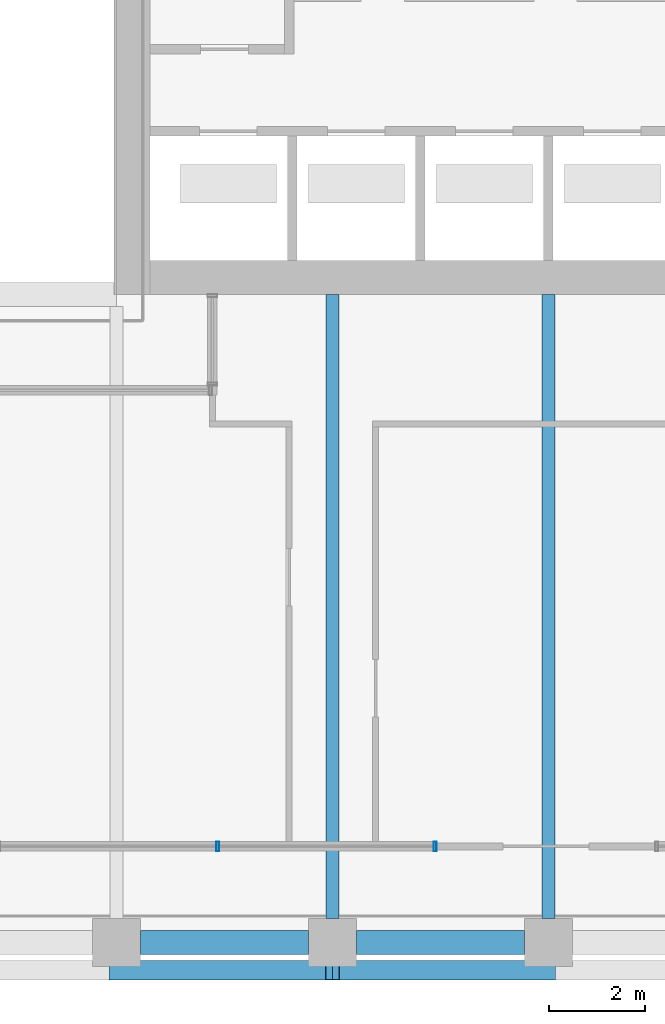
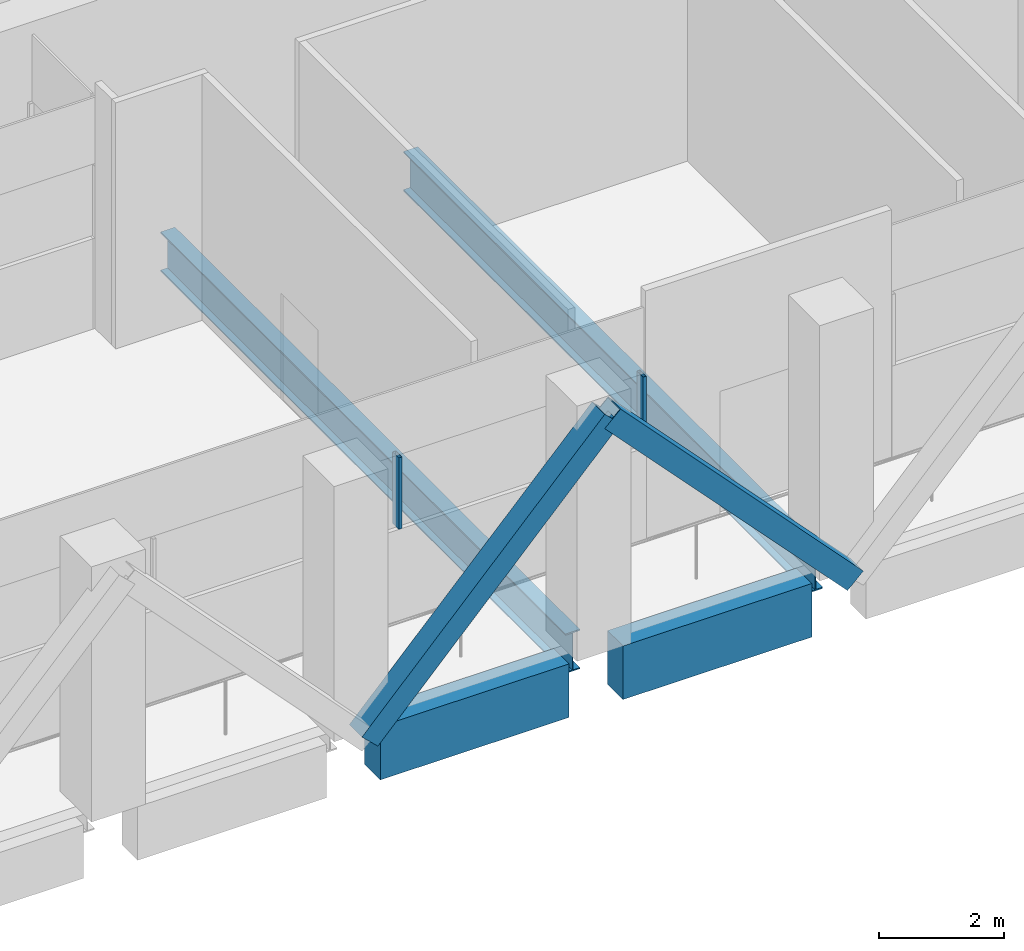
# One storey, part 5 of 48: 4 beams, 4 members, 1 element without a shape of its own.
"""IFC4 building model written with IfcOpenShell, lengths in metres."""

from ifc_helpers import new_model, si_unit, direction, frame, origin, origin_2d, place, context, subcontext, project, spatial, rectangle, hollow_rectangle, i_section, extrude, material, material_profile, profile_set, type_object, element, aggregate, save


model = new_model("IFC4")

# Units and contexts
model_context = context("Model", 3, precision=1e-05, world=origin(), true_north=direction((0.0, 1.0)))
body_context = subcontext(model_context, "Body", "Model", "MODEL_VIEW")
ifc_project = project(units=[si_unit("LENGTHUNIT", "METRE"), si_unit("AREAUNIT", "SQUARE_METRE"), si_unit("VOLUMEUNIT", "CUBIC_METRE"), si_unit("PLANEANGLEUNIT", "RADIAN"), si_unit("MASSUNIT", "GRAM", prefix="KILO")], contexts=[model_context])

# Site, building, storey
site_placement = place(None, origin())
site = spatial("IfcSite", under=ifc_project, at=site_placement, CompositionType="ELEMENT")
building_placement = place(site_placement, origin())
building = spatial("IfcBuilding", under=site, at=building_placement, Name="Altepetl Exchange Towers", CompositionType="ELEMENT")
storey_placement = place(building_placement, frame((0.0, 0.0, 138.800048828125)))
storey = spatial("IfcBuildingStorey", under=building, at=storey_placement, Name="L34 Refuge and sky lobby", CompositionType="ELEMENT", Elevation=138.800048828125)

# Members
ifc_material_1 = material(Name="Steel S355", Category="steel")
ifc_material_profile_1 = material_profile(ifc_material_1, hollow_rectangle(XDim=0.406005859375, YDim=0.406005859375, WallThickness=0.014892578125, at=origin_2d()), Name="HSS406X406X15.9")
ifc_profile_set_1 = profile_set([ifc_material_profile_1], Name="Steel S355")
member_type_1 = type_object("IfcMemberType", Name="Belt diagonal HSS406X406X15.9", PredefinedType="BRACE", material=ifc_profile_set_1)
for number, where, z_axis, x_axis, name in (
    (1, (40.5, 26.419921875, 0.0), (0.687744647911, 0.0, 0.725952683906), (0.0, 1.0, 0.0), "brc:A:L34:002"),
    (2, (45.0, 26.419921875, 4.75), (0.687744647911, 0.0, -0.725952683906), (0.0, 1.0, 0.0), "brc:A:L34:003"),
):
    element("IfcMember", number, at=place(storey_placement, frame(where, z_axis=z_axis, x_axis=x_axis)), inside=storey, type_object=member_type_1, Name=name, PredefinedType="BRACE", context=body_context, shape_type="SweptSolid", body=[
        extrude(hollow_rectangle(XDim=0.406005859375, YDim=0.406005859375, WallThickness=0.014892578125, at=origin_2d()), origin(), (0.0, 0.0, 1.0), 6.543212890625),
    ])

# Beams
ifc_material_profile_2 = material_profile(ifc_material_1, i_section(OverallWidth=0.26806640625, OverallDepth=0.77392578125, WebThickness=0.015380859375, FlangeThickness=0.025390625, at=origin_2d()), Name="W30X132")
ifc_profile_set_2 = profile_set([ifc_material_profile_2], Name="Steel S355")
beam_type_1 = type_object("IfcBeamType", Name="Floor beam W30X132", PredefinedType="BEAM", material=ifc_profile_set_2)
for number, where, z_axis, x_axis, name in (
    (3, (45.0, 27.5, -0.587158203125), (0.0, 1.0, 0.0), (-1.0, 0.0, 0.0), "bm:A:L34:015"),
    (4, (49.5, 27.5, -0.587158203125), (0.0, 1.0, 0.0), (-1.0, 0.0, 0.0), "bm:A:L34:016"),
):
    element("IfcBeam", number, at=place(storey_placement, frame(where, z_axis=z_axis, x_axis=x_axis)), inside=storey, type_object=beam_type_1, Name=name, PredefinedType="BEAM", context=body_context, shape_type="SweptSolid", body=[
        extrude(i_section(OverallWidth=0.26806640625, OverallDepth=0.77392578125, WebThickness=0.015380859375, FlangeThickness=0.025390625, at=origin_2d()), origin(), (0.0, 0.0, 1.0), 13.0),
    ])

# Curtain wall, members
ifc_material_2 = material(Name="Aluminium 6063-T6 glazing", Category="aluminium")
curtain_wall_type = type_object("IfcCurtainWallType", Name="Refuge slit glazing system", PredefinedType="NOTDEFINED", material=ifc_material_2)
curtain_wall_placement = place(storey_placement, origin())
curtain_wall = element("IfcCurtainWall", 5, at=curtain_wall_placement, inside=storey, type_object=curtain_wall_type, Name="CW3 run", PredefinedType="NOTDEFINED")
ifc_material_3 = material(Name="Aluminium 6063-T6", Category="aluminium")
ifc_material_profile_3 = material_profile(ifc_material_3, hollow_rectangle(XDim=0.06005859375, YDim=0.199951171875, WallThickness=0.0029296875, at=origin_2d()), Name="Mullion 60x200 aluminium")
ifc_profile_set_3 = profile_set([ifc_material_profile_3], Name="Aluminium 6063-T6")
member_type_2 = type_object("IfcMemberType", Name="Mullion 60x200 aluminium", PredefinedType="MULLION", material=ifc_profile_set_3)
member_1_placement = place(storey_placement, frame((42.6142578125, 29.0, 1.800048828125)))
member_1 = element("IfcMember", 6, at=member_1_placement, type_object=member_type_2, Name="MU2 mullion", PredefinedType="MULLION", context=body_context, shape_type="SweptSolid", body=[
    extrude(hollow_rectangle(XDim=0.06005859375, YDim=0.199951171875, WallThickness=0.0029296875, at=origin_2d()), origin(), (0.0, 0.0, 1.0), 1.39990234375),
])
member_2_placement = place(storey_placement, frame((47.141357421875, 29.0, 1.800048828125)))
member_2 = element("IfcMember", 7, at=member_2_placement, type_object=member_type_2, Name="MU2 mullion", PredefinedType="MULLION", context=body_context, shape_type="SweptSolid", body=[
    extrude(hollow_rectangle(XDim=0.06005859375, YDim=0.199951171875, WallThickness=0.0029296875, at=origin_2d()), origin(), (0.0, 0.0, 1.0), 1.39990234375),
])
aggregate(curtain_wall, [member_1, member_2])

# Beams
ifc_material_4 = material(Name="Concrete C50/60 precast with cantera blanca facing", Category="concrete")
ifc_material_profile_4 = material_profile(ifc_material_4, rectangle(XDim=0.5, YDim=1.050048828125, at=origin_2d()), Name="500 x 1050")
ifc_profile_set_4 = profile_set([ifc_material_profile_4], Name="Concrete C50/60 precast with cantera blanca facing")
beam_type_2 = type_object("IfcBeamType", Name="Spandrel beam 500x1050 cantera blanca", PredefinedType="SPANDREL", material=ifc_profile_set_4)
for number, where, z_axis, x_axis, name in (
    (8, (41.0, 27.0, -0.72509765625), (1.0, 0.0, 0.0), (0.0, 1.0, 0.0), "sp:A:L34:002"),
    (9, (45.5, 27.0, -0.72509765625), (1.0, 0.0, 0.0), (0.0, 1.0, 0.0), "sp:A:L34:003"),
):
    element("IfcBeam", number, at=place(storey_placement, frame(where, z_axis=z_axis, x_axis=x_axis)), inside=storey, type_object=beam_type_2, Name=name, PredefinedType="SPANDREL", context=body_context, shape_type="SweptSolid", body=[
        extrude(rectangle(XDim=0.5, YDim=1.050048828125, at=origin_2d()), origin(), (0.0, 0.0, 1.0), 3.5),
    ])

save(model, "model.ifc")
